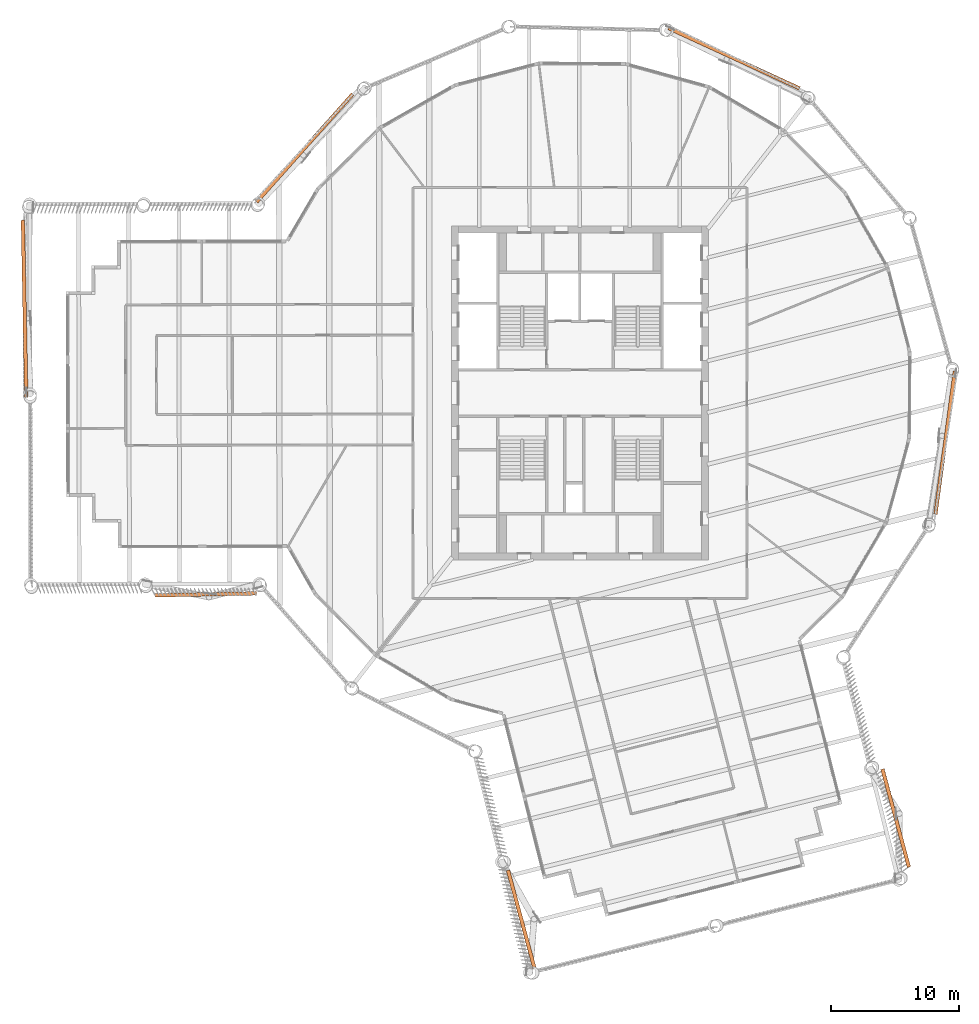
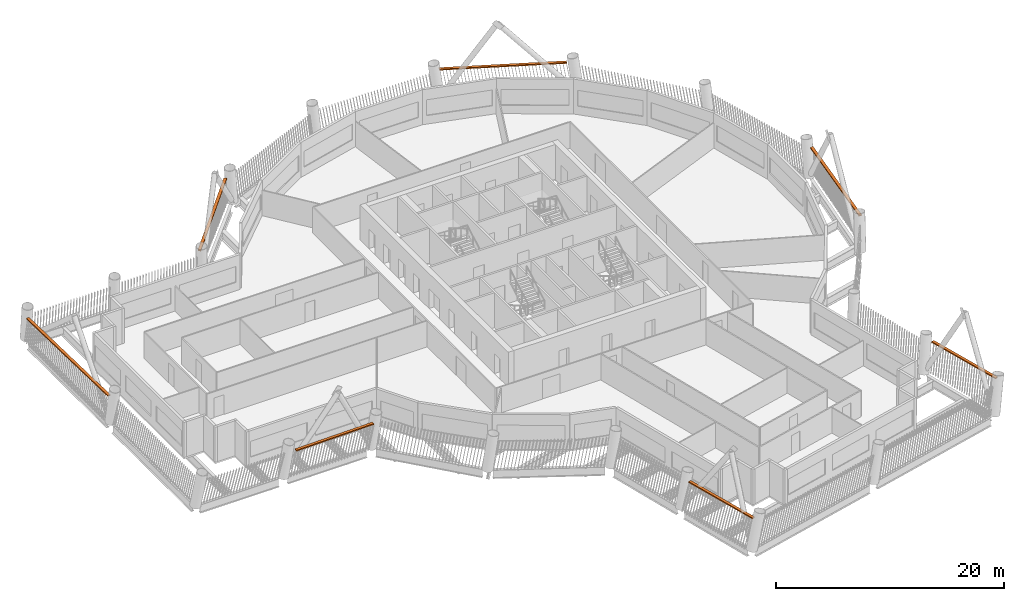
# One storey, part 22 of 22: 7 proxies.
"""IFC4 building model written with IfcOpenShell, lengths in metres."""

from ifc_helpers import new_model, si_unit, direction, frame, origin, origin_2d, place, context, subcontext, project, spatial, rectangle, extrude, material, type_object, element, save


model = new_model("IFC4")

# Units and contexts
model_context = context("Model", 3, precision=1e-05, world=origin(), true_north=direction((0.0, 1.0)))
body_context = subcontext(model_context, "Body", "Model", "MODEL_VIEW")
ifc_project = project(units=[si_unit("LENGTHUNIT", "METRE"), si_unit("AREAUNIT", "SQUARE_METRE"), si_unit("VOLUMEUNIT", "CUBIC_METRE"), si_unit("PLANEANGLEUNIT", "RADIAN"), si_unit("MASSUNIT", "GRAM", prefix="KILO")], contexts=[model_context])

# Site, building, storey
site_placement = place(None, origin())
site = spatial("IfcSite", under=ifc_project, at=site_placement, CompositionType="ELEMENT")
building_placement = place(site_placement, origin())
building = spatial("IfcBuilding", under=site, at=building_placement, Name="Tarsis Ring Headquarters", CompositionType="ELEMENT")
storey_placement = place(building_placement, frame((0.0, 0.0, 286.39990234375)))
storey = spatial("IfcBuildingStorey", under=building, at=storey_placement, Name="L67", CompositionType="ELEMENT", Elevation=286.39990234375)

# Proxies
ifc_material = material(Name="Structural steel S355", Category="steel")
building_element_proxy_type = type_object("IfcBuildingElementProxyType", Name="Screen bracket plate", PredefinedType="USERDEFINED", material=ifc_material)
for number, where, z_axis, x_axis, name in (
    (1, (-4.5693359375, -40.958740234375, 2.9677734375), (0.0, 0.0, 1.0), (0.260841489441, -0.965381643386, 0.0), "Screen bracket L67-02"),
    (2, (24.575439453125, -33.083984375, 2.9677734375), (0.0, 0.0, 1.0), (-0.260841573686, 0.965381620623, 0.0), "Screen bracket L67-05"),
):
    element("IfcBuildingElementProxy", number, at=place(storey_placement, frame(where, z_axis=z_axis, x_axis=x_axis)), inside=storey, type_object=building_element_proxy_type, Name=name, ObjectType="Bracket", PredefinedType="USERDEFINED", context=body_context, shape_type="SweptSolid", body=[
        extrude(rectangle(XDim=7.90234375, YDim=0.280029296875, at=origin_2d()), origin(), (0.0, 0.0, 1.0), 0.1201171875),
    ])
for number, where, z_axis, x_axis, name in (
    (3, (28.429443359375, -3.862060546875, 2.9677734375), (0.0, 0.0, 1.0), (0.134612703287, 0.99089828949, 0.0), "Screen bracket L67-08"),
    (4, (11.992919921875, 26.063720703125, 2.9677734375), (0.0, 0.0, 1.0), (-0.908444351815, 0.418005812944, 0.0), "Screen bracket L67-11"),
    (5, (-21.427734375, 19.078857421875, 2.9677734375), (0.0, 0.0, 1.0), (-0.664986334212, -0.746855525059, 0.0), "Screen bracket L67-14"),
):
    element("IfcBuildingElementProxy", number, at=place(storey_placement, frame(where, z_axis=z_axis, x_axis=x_axis)), inside=storey, type_object=building_element_proxy_type, Name=name, ObjectType="Bracket", PredefinedType="USERDEFINED", context=body_context, shape_type="SweptSolid", body=[
        extrude(rectangle(XDim=11.248779296875, YDim=0.280029296875, at=origin_2d()), origin(), (0.0, 0.0, 1.0), 0.1201171875),
    ])
proxy_1_placement = place(storey_placement, frame((-43.2314453125, 6.55615234375, 2.9677734375), z_axis=(0.0, 0.0, 1.0), x_axis=(0.019546425295, -0.999808950379, 0.0)))
element("IfcBuildingElementProxy", 6, at=proxy_1_placement, inside=storey, type_object=building_element_proxy_type, Name="Screen bracket L67-17", ObjectType="Bracket", PredefinedType="USERDEFINED", context=body_context, shape_type="SweptSolid", body=[
    extrude(rectangle(XDim=13.800048828125, YDim=0.280029296875, at=origin_2d()), origin(), (0.0, 0.0, 1.0), 0.1201171875),
])
proxy_2_placement = place(storey_placement, frame((-29.14599609375, -15.667724609375, 2.9677734375), z_axis=(0.0, 0.0, 1.0), x_axis=(0.999808950379, 0.019546425295, 0.0)))
element("IfcBuildingElementProxy", 7, at=proxy_2_placement, inside=storey, type_object=building_element_proxy_type, Name="Screen bracket L67-20", ObjectType="Bracket", PredefinedType="USERDEFINED", context=body_context, shape_type="SweptSolid", body=[
    extrude(rectangle(XDim=7.90234375, YDim=0.280029296875, at=origin_2d()), origin(), (0.0, 0.0, 1.0), 0.1201171875),
])

save(model, "model.ifc")
